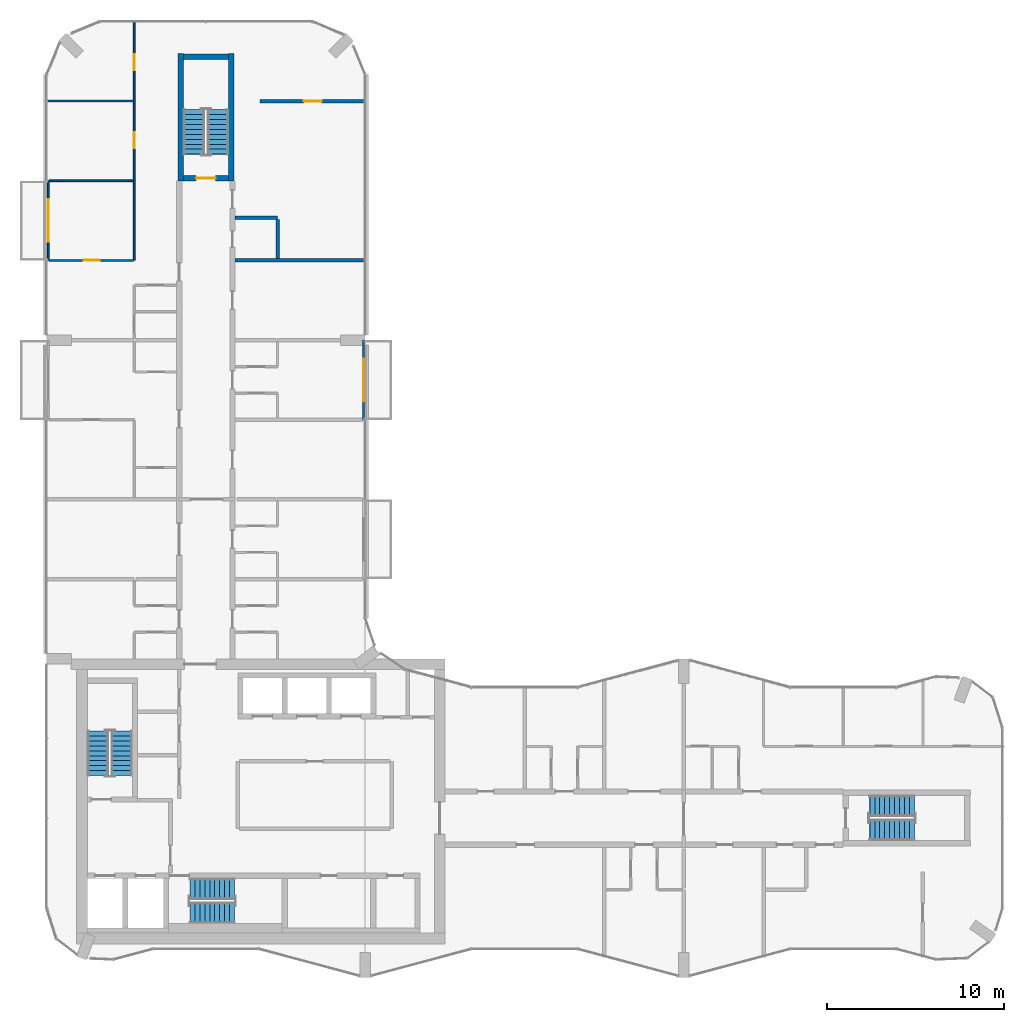
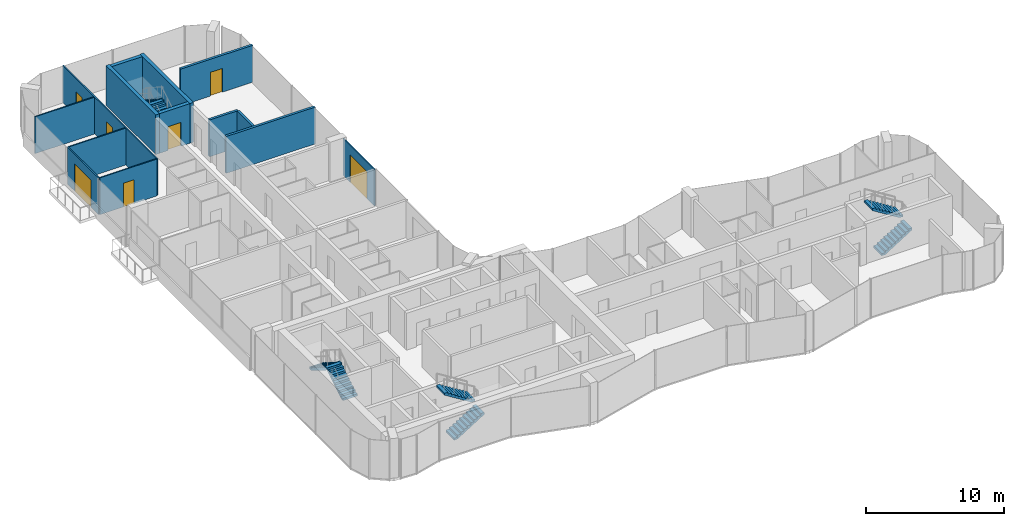
# One storey, part 13 of 15: 14 walls, 8 stair flights, 7 doors, 7 openings, 4 elements without a shape of their own.
"""IFC4 building model written with IfcOpenShell, lengths in metres."""

from ifc_helpers import new_model, si_unit, direction, frame, frame_2d, origin, place, context, subcontext, project, spatial, polyline, rectangle, outline, extrude, material, layer, layer_set, type_object, element, fill, aggregate, save


model = new_model("IFC4")

# Units and contexts
model_context = context("Model", 3, precision=1e-05, world=origin(), true_north=direction((0.0, 1.0)))
body_context = subcontext(model_context, "Body", "Model", "MODEL_VIEW")
ifc_project = project(units=[si_unit("LENGTHUNIT", "METRE"), si_unit("AREAUNIT", "SQUARE_METRE"), si_unit("VOLUMEUNIT", "CUBIC_METRE"), si_unit("PLANEANGLEUNIT", "RADIAN"), si_unit("MASSUNIT", "GRAM", prefix="KILO")], contexts=[model_context])

# Site, building, storey
site_placement = place(None, origin())
site = spatial("IfcSite", under=ifc_project, at=site_placement, CompositionType="ELEMENT")
building_placement = place(site_placement, origin())
building = spatial("IfcBuilding", under=site, at=building_placement, Name="Plateau Cross Towers", CompositionType="ELEMENT")
storey_placement = place(building_placement, frame((0.0, 0.0, 174.39990234375)))
storey = spatial("IfcBuildingStorey", under=building, at=storey_placement, Name="L45", CompositionType="ELEMENT", Elevation=174.39990234375)

# Wall, opening, door
ifc_material_1 = material(Name="Aluminium framed glazing", Category="aluminium")
ifc_layer_1 = layer(ifc_material_1, 0.10009765625)
ifc_layer_set_1 = layer_set([ifc_layer_1], Name="Aluminium framed glazing")
wall_type_1 = type_object("IfcWallType", Name="Balcony screen wall 100", PredefinedType="STANDARD", material=ifc_layer_set_1)
wall_1_placement = place(storey_placement, frame((0.10009765625, 40.5, 0.0), z_axis=(0.0, 0.0, 1.0), x_axis=(0.0, 1.0, 0.0)))
wall_1 = element("IfcWall", 1, at=wall_1_placement, inside=storey, type_object=wall_type_1, Name="Balcony screen wall A-BAL-L45-02", PredefinedType="STANDARD", context=body_context, shape_type="SweptSolid", body=[
    extrude(rectangle(XDim=4.5, YDim=0.10009765625, at=frame_2d((2.25, 0.0))), origin(), (0.0, 0.0, 1.0), 3.25),
])
opening_1_placement = place(wall_1_placement, frame((1.050048828125, 0.0, 0.0)))
opening_1 = element("IfcOpeningElement", 2, at=opening_1_placement, cuts=wall_1, Name="Opening D-B24", PredefinedType="OPENING", context=body_context, shape_type="SweptSolid", body=[
    extrude(rectangle(XDim=2.39990234375, YDim=2.39990234375, at=frame_2d((1.199951171875, 1.199951171875))), frame((0.0, 0.06005859375, 0.0), z_axis=(0.0, -1.0, 0.0), x_axis=(1.0, 0.0, 0.0)), (0.0, 0.0, 1.0), 0.1201171875),
])
ifc_material_2 = material(Name="Aluminium frame, double glazing", Category="aluminium")
door_type_1 = type_object("IfcDoorType", Name="Balcony sliding door 2400", OperationType="NOTDEFINED", PredefinedType="DOOR", material=ifc_material_2)
door_1_placement = place(opening_1_placement, origin())
door_1 = element("IfcDoor", 3, at=door_1_placement, inside=storey, type_object=door_type_1, Name="Balcony door A-BAL-L45-02", OperationType="SINGLE_SWING_LEFT", OverallHeight=2.39990234375, OverallWidth=2.39990234375, PredefinedType="DOOR", context=body_context, shape_type="SweptSolid", body=[
    extrude(rectangle(XDim=2.39990234375, YDim=2.39990234375, at=frame_2d((1.199951171875, 1.199951171875))), frame((0.0, 0.02490234375, 0.0), z_axis=(0.0, -1.0, 0.0), x_axis=(1.0, 0.0, 0.0)), (0.0, 0.0, 1.0), 0.050048828125),
])
fill(opening_1, door_1)

wall_2_placement = place(storey_placement, frame((17.89990234375, 36.0, 0.0), z_axis=(0.0, 0.0, 1.0), x_axis=(0.0, -1.0, 0.0)))
wall_2 = element("IfcWall", 4, at=wall_2_placement, inside=storey, type_object=wall_type_1, Name="Balcony screen wall A-BAL-L45-04", PredefinedType="STANDARD", context=body_context, shape_type="SweptSolid", body=[
    extrude(rectangle(XDim=4.5, YDim=0.10009765625, at=frame_2d((2.25, 0.0))), origin(), (0.0, 0.0, 1.0), 3.25),
])
opening_2_placement = place(wall_2_placement, frame((1.050048828125, 0.0, 0.0)))
opening_2 = element("IfcOpeningElement", 5, at=opening_2_placement, cuts=wall_2, Name="Opening D-B24", PredefinedType="OPENING", context=body_context, shape_type="SweptSolid", body=[
    extrude(rectangle(XDim=2.39990234375, YDim=2.39990234375, at=frame_2d((1.199951171875, 1.199951171875))), frame((0.0, 0.06005859375, 0.0), z_axis=(0.0, -1.0, 0.0), x_axis=(1.0, 0.0, 0.0)), (0.0, 0.0, 1.0), 0.1201171875),
])
door_2_placement = place(opening_2_placement, origin())
door_2 = element("IfcDoor", 6, at=door_2_placement, inside=storey, type_object=door_type_1, Name="Balcony door A-BAL-L45-04", OperationType="SINGLE_SWING_LEFT", OverallHeight=2.39990234375, OverallWidth=2.39990234375, PredefinedType="DOOR", context=body_context, shape_type="SweptSolid", body=[
    extrude(rectangle(XDim=2.39990234375, YDim=2.39990234375, at=frame_2d((1.199951171875, 1.199951171875))), frame((0.0, 0.02490234375, 0.0), z_axis=(0.0, -1.0, 0.0), x_axis=(1.0, 0.0, 0.0)), (0.0, 0.0, 1.0), 0.050048828125),
])
fill(opening_2, door_2)

ifc_material_3 = material(Name="Gypsum board on steel studs", Category="steel")
ifc_layer_2 = layer(ifc_material_3, 0.10009765625)
ifc_layer_set_2 = layer_set([ifc_layer_2], Name="Gypsum board on steel studs")
wall_type_2 = type_object("IfcWallType", Name="Flat partition 100", PredefinedType="PARTITIONING", material=ifc_layer_set_2)
wall_3_placement = place(storey_placement, frame((0.14990234375, 40.5, 0.0), z_axis=(0.0, 0.0, 1.0), x_axis=(1.0, 0.0, 0.0)))
wall_3 = element("IfcWall", 7, at=wall_3_placement, inside=storey, type_object=wall_type_2, Name="Partition wall", PredefinedType="PARTITIONING", context=body_context, shape_type="SweptSolid", body=[
    extrude(rectangle(XDim=4.75, YDim=0.10009765625, at=frame_2d((2.375, 0.0))), origin(), (0.0, 0.0, 1.0), 3.25),
])
opening_3_placement = place(wall_3_placement, frame((1.949951171875, 0.0, 0.0)))
opening_3 = element("IfcOpeningElement", 8, at=opening_3_placement, cuts=wall_3, Name="Opening 45-41", PredefinedType="OPENING", context=body_context, shape_type="SweptSolid", body=[
    extrude(rectangle(XDim=0.89990234375, YDim=2.10009765625, at=frame_2d((0.449951171875, 1.050048828125))), frame((0.0, 0.06005859375, 0.0), z_axis=(0.0, -1.0, 0.0), x_axis=(1.0, 0.0, 0.0)), (0.0, 0.0, 1.0), 0.1201171875),
])
ifc_material_4 = material(Name="Timber leaf", Category="wood")
door_type_2 = type_object("IfcDoorType", Name="Flat room door 900", OperationType="NOTDEFINED", PredefinedType="DOOR", material=ifc_material_4)
door_3_placement = place(opening_3_placement, origin())
door_3 = element("IfcDoor", 9, at=door_3_placement, inside=storey, type_object=door_type_2, Name="Door 45-41", OperationType="SINGLE_SWING_RIGHT", OverallHeight=2.10009765625, OverallWidth=0.89990234375, PredefinedType="DOOR", context=body_context, shape_type="SweptSolid", body=[
    extrude(rectangle(XDim=0.89990234375, YDim=2.10009765625, at=frame_2d((0.449951171875, 1.050048828125))), frame((0.0, 0.02490234375, 0.0), z_axis=(0.0, -1.0, 0.0), x_axis=(1.0, 0.0, 0.0)), (0.0, 0.0, 1.0), 0.050048828125),
])
fill(opening_3, door_3)

# Walls
wall_4_placement = place(storey_placement, frame((4.89990234375, 45.0, 0.0), z_axis=(0.0, 0.0, 1.0), x_axis=(-1.0, 0.0, 0.0)))
element("IfcWall", 10, at=wall_4_placement, inside=storey, type_object=wall_type_2, Name="Partition wall", PredefinedType="PARTITIONING", context=body_context, shape_type="SweptSolid", body=[
    extrude(rectangle(XDim=4.75, YDim=0.10009765625, at=frame_2d((2.375, 0.0))), origin(), (0.0, 0.0, 1.0), 3.25),
])
wall_5_placement = place(storey_placement, frame((4.89990234375, 49.5, 0.0), z_axis=(0.0, 0.0, 1.0), x_axis=(-1.0, 0.0, 0.0)))
element("IfcWall", 11, at=wall_5_placement, inside=storey, type_object=wall_type_2, Name="Partition wall", PredefinedType="PARTITIONING", context=body_context, shape_type="SweptSolid", body=[
    extrude(rectangle(XDim=4.97998046875, YDim=0.10009765625, at=frame_2d((2.489990234375, 0.0))), origin(), (0.0, 0.0, 1.0), 3.25),
])

# Wall, openings, doors
wall_6_placement = place(storey_placement, frame((4.949951171875, 40.5, 0.0), z_axis=(0.0, 0.0, 1.0), x_axis=(0.0, 1.0, 0.0)))
wall_6 = element("IfcWall", 12, at=wall_6_placement, inside=storey, type_object=wall_type_2, Name="Partition wall", PredefinedType="PARTITIONING", context=body_context, shape_type="SweptSolid", body=[
    extrude(rectangle(XDim=13.580078125, YDim=0.10009765625, at=frame_2d((6.7900390625, 0.0))), origin(), (0.0, 0.0, 1.0), 3.25),
])
opening_4_placement = place(wall_6_placement, frame((6.35009765625, 0.0, 0.0)))
opening_4 = element("IfcOpeningElement", 13, at=opening_4_placement, cuts=wall_6, Name="Opening 45-42", PredefinedType="OPENING", context=body_context, shape_type="SweptSolid", body=[
    extrude(rectangle(XDim=0.89990234375, YDim=2.10009765625, at=frame_2d((0.449951171875, 1.050048828125))), frame((0.0, 0.06005859375, 0.0), z_axis=(0.0, -1.0, 0.0), x_axis=(1.0, 0.0, 0.0)), (0.0, 0.0, 1.0), 0.1201171875),
])
opening_5_placement = place(wall_6_placement, frame((10.75, 0.0, 0.0)))
opening_5 = element("IfcOpeningElement", 14, at=opening_5_placement, cuts=wall_6, Name="Opening 45-43", PredefinedType="OPENING", context=body_context, shape_type="SweptSolid", body=[
    extrude(rectangle(XDim=0.89990234375, YDim=2.10009765625, at=frame_2d((0.449951171875, 1.050048828125))), frame((0.0, 0.06005859375, 0.0), z_axis=(0.0, -1.0, 0.0), x_axis=(1.0, 0.0, 0.0)), (0.0, 0.0, 1.0), 0.1201171875),
])
door_4_placement = place(opening_4_placement, origin())
door_4 = element("IfcDoor", 15, at=door_4_placement, inside=storey, type_object=door_type_2, Name="Door 45-42", OperationType="SINGLE_SWING_RIGHT", OverallHeight=2.10009765625, OverallWidth=0.89990234375, PredefinedType="DOOR", context=body_context, shape_type="SweptSolid", body=[
    extrude(rectangle(XDim=0.89990234375, YDim=2.10009765625, at=frame_2d((0.449951171875, 1.050048828125))), frame((0.0, 0.02490234375, 0.0), z_axis=(0.0, -1.0, 0.0), x_axis=(1.0, 0.0, 0.0)), (0.0, 0.0, 1.0), 0.050048828125),
])
fill(opening_4, door_4)
door_5_placement = place(opening_5_placement, origin())
door_5 = element("IfcDoor", 16, at=door_5_placement, inside=storey, type_object=door_type_2, Name="Door 45-43", OperationType="SINGLE_SWING_RIGHT", OverallHeight=2.10009765625, OverallWidth=0.89990234375, PredefinedType="DOOR", context=body_context, shape_type="SweptSolid", body=[
    extrude(rectangle(XDim=0.89990234375, YDim=2.10009765625, at=frame_2d((0.449951171875, 1.050048828125))), frame((0.0, 0.02490234375, 0.0), z_axis=(0.0, -1.0, 0.0), x_axis=(1.0, 0.0, 0.0)), (0.0, 0.0, 1.0), 0.050048828125),
])
fill(opening_5, door_5)

# Walls
ifc_material_5 = material(Name="Gypsum board on steel studs, two layers each side", Category="steel")
ifc_layer_3 = layer(ifc_material_5, 0.199951171875)
ifc_layer_set_3 = layer_set([ifc_layer_3], Name="Gypsum board on steel studs, two layers each side")
wall_type_3 = type_object("IfcWallType", Name="Flat party wall 200", PredefinedType="PARTITIONING", material=ifc_layer_set_3)
wall_7_placement = place(storey_placement, frame((18.080078125, 40.5, 0.0), z_axis=(0.0, 0.0, 1.0), x_axis=(-1.0, 0.0, 0.0)))
element("IfcWall", 17, at=wall_7_placement, inside=storey, type_object=wall_type_3, Name="Party wall", PredefinedType="PARTITIONING", context=body_context, shape_type="SweptSolid", body=[
    extrude(rectangle(XDim=7.43017578125, YDim=0.199951171875, at=frame_2d((3.715087890625, 0.0))), origin(), (0.0, 0.0, 1.0), 3.25),
])
wall_8_placement = place(storey_placement, frame((13.050048828125, 42.89990234375, 0.0), z_axis=(0.0, 0.0, 1.0), x_axis=(-1.0, 0.0, 0.0)))
element("IfcWall", 18, at=wall_8_placement, inside=storey, type_object=wall_type_3, Name="Party wall", PredefinedType="PARTITIONING", context=body_context, shape_type="SweptSolid", body=[
    extrude(rectangle(XDim=2.400146484375, YDim=0.199951171875, at=frame_2d((1.2001953125, 0.0))), origin(), (0.0, 0.0, 1.0), 3.25),
])

# Wall, opening, door
wall_9_placement = place(storey_placement, frame((18.080078125, 49.5, 0.0), z_axis=(0.0, 0.0, 1.0), x_axis=(-1.0, 0.0, 0.0)))
wall_9 = element("IfcWall", 19, at=wall_9_placement, inside=storey, type_object=wall_type_3, Name="Party wall", PredefinedType="PARTITIONING", context=body_context, shape_type="SweptSolid", body=[
    extrude(rectangle(XDim=6.030029296875, YDim=0.199951171875, at=frame_2d((3.01513671875, 0.0))), origin(), (0.0, 0.0, 1.0), 3.25),
])
opening_6_placement = place(wall_9_placement, frame((2.550048828125, 0.0, 0.0)))
opening_6 = element("IfcOpeningElement", 20, at=opening_6_placement, cuts=wall_9, Name="Opening 45-24", PredefinedType="OPENING", context=body_context, shape_type="SweptSolid", body=[
    extrude(rectangle(XDim=1.0, YDim=2.10009765625, at=frame_2d((0.5, 1.050048828125))), frame((0.0, 0.10986328125, 0.0), z_axis=(0.0, -1.0, 0.0), x_axis=(1.0, 0.0, 0.0)), (0.0, 0.0, 1.0), 0.219970703125),
])
ifc_material_6 = material(Name="Timber, fire-resisting leaf", Category="wood")
door_type_3 = type_object("IfcDoorType", Name="Flat entrance door 1000", OperationType="NOTDEFINED", PredefinedType="DOOR", material=ifc_material_6)
door_6_placement = place(opening_6_placement, origin())
door_6 = element("IfcDoor", 21, at=door_6_placement, inside=storey, type_object=door_type_3, Name="Door 45-24", OperationType="SINGLE_SWING_RIGHT", OverallHeight=2.10009765625, OverallWidth=1.0, PredefinedType="DOOR", context=body_context, shape_type="SweptSolid", body=[
    extrude(rectangle(XDim=1.0, YDim=2.10009765625, at=frame_2d((0.5, 1.050048828125))), frame((0.0, 0.02490234375, 0.0), z_axis=(0.0, -1.0, 0.0), x_axis=(1.0, 0.0, 0.0)), (0.0, 0.0, 1.0), 0.050048828125),
])
fill(opening_6, door_6)

# Wall
wall_10_placement = place(storey_placement, frame((13.050048828125, 40.60009765625, 0.0), z_axis=(0.0, 0.0, 1.0), x_axis=(0.0, 1.0, 0.0)))
element("IfcWall", 22, at=wall_10_placement, inside=storey, type_object=wall_type_3, Name="Party wall", PredefinedType="PARTITIONING", context=body_context, shape_type="SweptSolid", body=[
    extrude(rectangle(XDim=2.199951171875, YDim=0.199951171875, at=frame_2d((1.10009765625, 0.0))), origin(), (0.0, 0.0, 1.0), 3.25),
])

# Wall, opening, door
ifc_material_7 = material(Name="Concrete C60/75", Category="concrete")
ifc_layer_4 = layer(ifc_material_7, 0.300048828125)
ifc_layer_set_4 = layer_set([ifc_layer_4], Name="Concrete C60/75")
wall_type_4 = type_object("IfcWallType", Name="Stair tower wall 300", PredefinedType="SHEAR", material=ifc_layer_set_4)
wall_11_placement = place(storey_placement, frame((7.72509765625, 45.14990234375, 0.0), z_axis=(0.0, 0.0, 1.0), x_axis=(1.0, 0.0, 0.0)))
wall_11 = element("IfcWall", 23, at=wall_11_placement, inside=storey, type_object=wall_type_4, Name="A-end-N-S@L45", PredefinedType="SHEAR", context=body_context, shape_type="SweptSolid", body=[
    extrude(rectangle(XDim=2.5498046875, YDim=0.300048828125, at=frame_2d((1.27490234375, 0.0))), origin(), (0.0, 0.0, 1.0), 3.5),
])
opening_7_placement = place(wall_11_placement, frame((0.72509765625, 0.0, 0.0)))
opening_7 = element("IfcOpeningElement", 24, at=opening_7_placement, cuts=wall_11, Name="Opening SD", PredefinedType="OPENING", context=body_context, shape_type="SweptSolid", body=[
    extrude(rectangle(XDim=1.10009765625, YDim=2.10009765625, at=frame_2d((0.550048828125, 1.050048828125))), frame((0.0, 0.159912109375, 0.0), z_axis=(0.0, -1.0, 0.0), x_axis=(1.0, 0.0, 0.0)), (0.0, 0.0, 1.0), 0.320068359375),
])
ifc_material_8 = material(Name="Steel, fire-resisting leaf", Category="steel")
door_type_4 = type_object("IfcDoorType", Name="Stair door 1100", OperationType="NOTDEFINED", PredefinedType="DOOR", material=ifc_material_8)
door_7_placement = place(opening_7_placement, origin())
door_7 = element("IfcDoor", 25, at=door_7_placement, inside=storey, type_object=door_type_4, Name="Stair door SD", OperationType="SINGLE_SWING_LEFT", OverallHeight=2.10009765625, OverallWidth=1.10009765625, PredefinedType="DOOR", context=body_context, shape_type="SweptSolid", body=[
    extrude(rectangle(XDim=1.10009765625, YDim=2.10009765625, at=frame_2d((0.550048828125, 1.050048828125))), frame((0.0, 0.02490234375, 0.0), z_axis=(0.0, -1.0, 0.0), x_axis=(1.0, 0.0, 0.0)), (0.0, 0.0, 1.0), 0.050048828125),
])
fill(opening_7, door_7)

# Walls
wall_12_placement = place(storey_placement, frame((7.72509765625, 52.0, 0.0), z_axis=(0.0, 0.0, 1.0), x_axis=(1.0, 0.0, 0.0)))
element("IfcWall", 26, at=wall_12_placement, inside=storey, type_object=wall_type_4, Name="A-end-N-N@L45", PredefinedType="SHEAR", context=body_context, shape_type="SweptSolid", body=[
    extrude(rectangle(XDim=2.5498046875, YDim=0.300048828125, at=frame_2d((1.27490234375, 0.0))), origin(), (0.0, 0.0, 1.0), 3.5),
])
for number, where, z_axis, x_axis, name in (
    (27, (7.574951171875, 45.0, 0.0), (0.0, 0.0, 1.0), (0.0, 1.0, 0.0), "A-end-N-W@L45"),
    (28, (10.425048828125, 45.0, 0.0), (0.0, 0.0, 1.0), (0.0, 1.0, 0.0), "A-end-N-E@L45"),
):
    element("IfcWall", number, at=place(storey_placement, frame(where, z_axis=z_axis, x_axis=x_axis)), inside=storey, type_object=wall_type_4, Name=name, PredefinedType="SHEAR", context=body_context, shape_type="SweptSolid", body=[
        extrude(rectangle(XDim=7.199951171875, YDim=0.300048828125, at=frame_2d((3.60009765625, 0.0))), origin(), (0.0, 0.0, 1.0), 3.5),
    ])

# Stair, stair flights
ifc_material_9 = material(Name="Concrete C40/50", Category="concrete")
stair_type = type_object("IfcStairType", Name="ST-TWR", PredefinedType="HALF_TURN_STAIR", material=ifc_material_9)
stair_1_placement = place(storey_placement, origin())
stair_1 = element("IfcStair", 29, at=stair_1_placement, inside=storey, type_object=stair_type, Name="L45 Protected Exit Stair ST-1", PredefinedType="HALF_TURN_STAIR")
stair_flight_type = type_object("IfcStairFlightType", Name="SFL-RC", PredefinedType="STRAIGHT", material=ifc_material_9)
stair_flight_1_placement = place(storey_placement, frame((4.25, 11.39990234375, 0.0), z_axis=(0.0, 0.0, 1.0), x_axis=(0.0, 1.0, 0.0)))
stair_flight_1 = element("IfcStairFlight", 30, at=stair_flight_1_placement, type_object=stair_flight_type, Name="ST-1 flight 1", NumberOfRisers=10, NumberOfTreads=9, PredefinedType="STRAIGHT", RiserHeight=0.175, TreadLength=0.28, context=body_context, shape_type="SweptSolid", body=[
    extrude(outline(polyline([(-0.0048828125, -0.010009765625), (-0.0048828125, 0.0), (0.0, 0.0), (0.0, 0.175048828125), (0.280029296875, 0.175048828125), (0.280029296875, 0.35009765625), (0.56005859375, 0.35009765625), (0.56005859375, 0.52490234375), (0.840087890625, 0.52490234375), (0.840087890625, 0.699951171875), (1.1201171875, 0.699951171875), (1.1201171875, 0.875), (1.39990234375, 0.875), (1.39990234375, 1.050048828125), (1.679931640625, 1.050048828125), (1.679931640625, 1.22509765625), (1.9599609375, 1.22509765625), (1.9599609375, 1.39990234375), (2.239990234375, 1.39990234375), (2.239990234375, 1.574951171875), (2.52001953125, 1.574951171875), (2.52490234375, 1.56494140625), (2.52490234375, 1.398193359375), (2.52001953125, 1.398193359375), (0.28271484375, 0.0), (0.02001953125, 0.0), (0.02001953125, -0.010009765625), (-0.0048828125, -0.010009765625)])), frame((0.0, 0.60009765625, 0.0), z_axis=(0.0, -1.0, 0.0), x_axis=(1.0, 0.0, 0.0)), (0.0, 0.0, 1.0), 1.199951171875),
])
stair_flight_2_placement = place(storey_placement, frame((2.89990234375, 13.919921875, 1.75), z_axis=(0.0, 0.0, 1.0), x_axis=(0.0, -1.0, 0.0)))
stair_flight_2 = element("IfcStairFlight", 31, at=stair_flight_2_placement, type_object=stair_flight_type, Name="ST-1 flight 2", NumberOfRisers=10, NumberOfTreads=9, PredefinedType="STRAIGHT", RiserHeight=0.175, TreadLength=0.28, context=body_context, shape_type="SweptSolid", body=[
    extrude(outline(polyline([(-0.0048828125, -0.010009765625), (-0.0048828125, 0.0), (0.0, 0.0), (0.0, 0.175048828125), (0.280029296875, 0.175048828125), (0.280029296875, 0.35009765625), (0.56005859375, 0.35009765625), (0.56005859375, 0.52490234375), (0.840087890625, 0.52490234375), (0.840087890625, 0.699951171875), (1.1201171875, 0.699951171875), (1.1201171875, 0.875), (1.39990234375, 0.875), (1.39990234375, 1.050048828125), (1.679931640625, 1.050048828125), (1.679931640625, 1.22509765625), (1.9599609375, 1.22509765625), (1.9599609375, 1.39990234375), (2.239990234375, 1.39990234375), (2.239990234375, 1.574951171875), (2.52001953125, 1.574951171875), (2.52490234375, 1.56494140625), (2.52490234375, 1.398193359375), (2.52001953125, 1.398193359375), (0.28271484375, 0.0), (0.02001953125, 0.0), (0.02001953125, -0.010009765625), (-0.0048828125, -0.010009765625)])), frame((0.0, 0.60009765625, 0.0), z_axis=(0.0, -1.0, 0.0), x_axis=(1.0, 0.0, 0.0)), (0.0, 0.0, 1.0), 1.199951171875),
])
aggregate(stair_1, [stair_flight_1, stair_flight_2])

stair_2_placement = place(storey_placement, origin())
stair_2 = element("IfcStair", 32, at=stair_2_placement, inside=storey, type_object=stair_type, Name="L45 Protected Exit Stair ST-2", PredefinedType="HALF_TURN_STAIR")
stair_flight_3_placement = place(storey_placement, frame((8.10009765625, 3.64990234375, 0.0), z_axis=(0.0, 0.0, 1.0), x_axis=(1.0, 0.0, 0.0)))
stair_flight_3 = element("IfcStairFlight", 33, at=stair_flight_3_placement, type_object=stair_flight_type, Name="ST-2 flight 1", NumberOfRisers=10, NumberOfTreads=9, PredefinedType="STRAIGHT", RiserHeight=0.175, TreadLength=0.28, context=body_context, shape_type="SweptSolid", body=[
    extrude(outline(polyline([(-0.0048828125, -0.010009765625), (-0.0048828125, 0.0), (0.0, 0.0), (0.0, 0.175048828125), (0.280029296875, 0.175048828125), (0.280029296875, 0.35009765625), (0.56005859375, 0.35009765625), (0.56005859375, 0.52490234375), (0.840087890625, 0.52490234375), (0.840087890625, 0.699951171875), (1.1201171875, 0.699951171875), (1.1201171875, 0.875), (1.39990234375, 0.875), (1.39990234375, 1.050048828125), (1.679931640625, 1.050048828125), (1.679931640625, 1.22509765625), (1.9599609375, 1.22509765625), (1.9599609375, 1.39990234375), (2.239990234375, 1.39990234375), (2.239990234375, 1.574951171875), (2.52001953125, 1.574951171875), (2.52490234375, 1.56494140625), (2.52490234375, 1.398193359375), (2.52001953125, 1.398193359375), (0.28271484375, 0.0), (0.02001953125, 0.0), (0.02001953125, -0.010009765625), (-0.0048828125, -0.010009765625)])), frame((0.0, 0.60009765625, 0.0), z_axis=(0.0, -1.0, 0.0), x_axis=(1.0, 0.0, 0.0)), (0.0, 0.0, 1.0), 1.199951171875),
])
stair_flight_4_placement = place(storey_placement, frame((10.6201171875, 5.0, 1.75), z_axis=(0.0, 0.0, 1.0), x_axis=(-1.0, 0.0, 0.0)))
stair_flight_4 = element("IfcStairFlight", 34, at=stair_flight_4_placement, type_object=stair_flight_type, Name="ST-2 flight 2", NumberOfRisers=10, NumberOfTreads=9, PredefinedType="STRAIGHT", RiserHeight=0.175, TreadLength=0.28, context=body_context, shape_type="SweptSolid", body=[
    extrude(outline(polyline([(-0.0048828125, -0.010009765625), (-0.0048828125, 0.0), (0.0, 0.0), (0.0, 0.175048828125), (0.280029296875, 0.175048828125), (0.280029296875, 0.35009765625), (0.56005859375, 0.35009765625), (0.56005859375, 0.52490234375), (0.840087890625, 0.52490234375), (0.840087890625, 0.699951171875), (1.1201171875, 0.699951171875), (1.1201171875, 0.875), (1.39990234375, 0.875), (1.39990234375, 1.050048828125), (1.679931640625, 1.050048828125), (1.679931640625, 1.22509765625), (1.9599609375, 1.22509765625), (1.9599609375, 1.39990234375), (2.239990234375, 1.39990234375), (2.239990234375, 1.574951171875), (2.52001953125, 1.574951171875), (2.52490234375, 1.56494140625), (2.52490234375, 1.398193359375), (2.52001953125, 1.398193359375), (0.28271484375, 0.0), (0.02001953125, 0.0), (0.02001953125, -0.010009765625), (-0.0048828125, -0.010009765625)])), frame((0.0, 0.60009765625, 0.0), z_axis=(0.0, -1.0, 0.0), x_axis=(1.0, 0.0, 0.0)), (0.0, 0.0, 1.0), 1.199951171875),
])
aggregate(stair_2, [stair_flight_3, stair_flight_4])

stair_3_placement = place(storey_placement, origin())
stair_3 = element("IfcStair", 35, at=stair_3_placement, inside=storey, type_object=stair_type, Name="L45 Protected Exit Stair E", PredefinedType="HALF_TURN_STAIR")
stair_flight_5_placement = place(storey_placement, frame((46.5, 8.324951171875, 0.0), z_axis=(0.0, 0.0, 1.0), x_axis=(1.0, 0.0, 0.0)))
stair_flight_5 = element("IfcStairFlight", 36, at=stair_flight_5_placement, type_object=stair_flight_type, Name="ES-E flight 1", NumberOfRisers=10, NumberOfTreads=9, PredefinedType="STRAIGHT", RiserHeight=0.175, TreadLength=0.28, context=body_context, shape_type="SweptSolid", body=[
    extrude(outline(polyline([(-0.0048828125, -0.010009765625), (-0.0048828125, 0.0), (0.0, 0.0), (0.0, 0.175048828125), (0.280029296875, 0.175048828125), (0.280029296875, 0.35009765625), (0.56005859375, 0.35009765625), (0.56005859375, 0.52490234375), (0.840087890625, 0.52490234375), (0.840087890625, 0.699951171875), (1.1201171875, 0.699951171875), (1.1201171875, 0.875), (1.39990234375, 0.875), (1.39990234375, 1.050048828125), (1.679931640625, 1.050048828125), (1.679931640625, 1.22509765625), (1.9599609375, 1.22509765625), (1.9599609375, 1.39990234375), (2.239990234375, 1.39990234375), (2.239990234375, 1.574951171875), (2.52001953125, 1.574951171875), (2.52490234375, 1.56494140625), (2.52490234375, 1.398193359375), (2.52001953125, 1.398193359375), (0.28271484375, 0.0), (0.02001953125, 0.0), (0.02001953125, -0.010009765625), (-0.0048828125, -0.010009765625)])), frame((0.0, 0.60009765625, 0.0), z_axis=(0.0, -1.0, 0.0), x_axis=(1.0, 0.0, 0.0)), (0.0, 0.0, 1.0), 1.199951171875),
])
stair_flight_6_placement = place(storey_placement, frame((49.02001953125, 9.675048828125, 1.75), z_axis=(0.0, 0.0, 1.0), x_axis=(-1.0, 0.0, 0.0)))
stair_flight_6 = element("IfcStairFlight", 37, at=stair_flight_6_placement, type_object=stair_flight_type, Name="ES-E flight 2", NumberOfRisers=10, NumberOfTreads=9, PredefinedType="STRAIGHT", RiserHeight=0.175, TreadLength=0.28, context=body_context, shape_type="SweptSolid", body=[
    extrude(outline(polyline([(-0.0048828125, -0.010009765625), (-0.0048828125, 0.0), (0.0, 0.0), (0.0, 0.175048828125), (0.280029296875, 0.175048828125), (0.280029296875, 0.35009765625), (0.56005859375, 0.35009765625), (0.56005859375, 0.52490234375), (0.840087890625, 0.52490234375), (0.840087890625, 0.699951171875), (1.1201171875, 0.699951171875), (1.1201171875, 0.875), (1.39990234375, 0.875), (1.39990234375, 1.050048828125), (1.679931640625, 1.050048828125), (1.679931640625, 1.22509765625), (1.9599609375, 1.22509765625), (1.9599609375, 1.39990234375), (2.239990234375, 1.39990234375), (2.239990234375, 1.574951171875), (2.52001953125, 1.574951171875), (2.52490234375, 1.56494140625), (2.52490234375, 1.398193359375), (2.52001953125, 1.398193359375), (0.28271484375, 0.0), (0.02001953125, 0.0), (0.02001953125, -0.010009765625), (-0.0048828125, -0.010009765625)])), frame((0.0, 0.60009765625, 0.0), z_axis=(0.0, -1.0, 0.0), x_axis=(1.0, 0.0, 0.0)), (0.0, 0.0, 1.0), 1.199951171875),
])
aggregate(stair_3, [stair_flight_5, stair_flight_6])

stair_4_placement = place(storey_placement, origin())
stair_4 = element("IfcStair", 38, at=stair_4_placement, inside=storey, type_object=stair_type, Name="L45 Protected Exit Stair N", PredefinedType="HALF_TURN_STAIR")
stair_flight_7_placement = place(storey_placement, frame((9.675048828125, 46.5, 0.0), z_axis=(0.0, 0.0, 1.0), x_axis=(0.0, 1.0, 0.0)))
stair_flight_7 = element("IfcStairFlight", 39, at=stair_flight_7_placement, type_object=stair_flight_type, Name="ES-N flight 1", NumberOfRisers=10, NumberOfTreads=9, PredefinedType="STRAIGHT", RiserHeight=0.175, TreadLength=0.28, context=body_context, shape_type="SweptSolid", body=[
    extrude(outline(polyline([(-0.0048828125, -0.010009765625), (-0.0048828125, 0.0), (0.0, 0.0), (0.0, 0.175048828125), (0.280029296875, 0.175048828125), (0.280029296875, 0.35009765625), (0.56005859375, 0.35009765625), (0.56005859375, 0.52490234375), (0.840087890625, 0.52490234375), (0.840087890625, 0.699951171875), (1.1201171875, 0.699951171875), (1.1201171875, 0.875), (1.39990234375, 0.875), (1.39990234375, 1.050048828125), (1.679931640625, 1.050048828125), (1.679931640625, 1.22509765625), (1.9599609375, 1.22509765625), (1.9599609375, 1.39990234375), (2.239990234375, 1.39990234375), (2.239990234375, 1.574951171875), (2.52001953125, 1.574951171875), (2.52490234375, 1.56494140625), (2.52490234375, 1.398193359375), (2.52001953125, 1.398193359375), (0.28271484375, 0.0), (0.02001953125, 0.0), (0.02001953125, -0.010009765625), (-0.0048828125, -0.010009765625)])), frame((0.0, 0.60009765625, 0.0), z_axis=(0.0, -1.0, 0.0), x_axis=(1.0, 0.0, 0.0)), (0.0, 0.0, 1.0), 1.199951171875),
])
stair_flight_8_placement = place(storey_placement, frame((8.324951171875, 49.02001953125, 1.75), z_axis=(0.0, 0.0, 1.0), x_axis=(0.0, -1.0, 0.0)))
stair_flight_8 = element("IfcStairFlight", 40, at=stair_flight_8_placement, type_object=stair_flight_type, Name="ES-N flight 2", NumberOfRisers=10, NumberOfTreads=9, PredefinedType="STRAIGHT", RiserHeight=0.175, TreadLength=0.28, context=body_context, shape_type="SweptSolid", body=[
    extrude(outline(polyline([(-0.0048828125, -0.010009765625), (-0.0048828125, 0.0), (0.0, 0.0), (0.0, 0.175048828125), (0.280029296875, 0.175048828125), (0.280029296875, 0.35009765625), (0.56005859375, 0.35009765625), (0.56005859375, 0.52490234375), (0.840087890625, 0.52490234375), (0.840087890625, 0.699951171875), (1.1201171875, 0.699951171875), (1.1201171875, 0.875), (1.39990234375, 0.875), (1.39990234375, 1.050048828125), (1.679931640625, 1.050048828125), (1.679931640625, 1.22509765625), (1.9599609375, 1.22509765625), (1.9599609375, 1.39990234375), (2.239990234375, 1.39990234375), (2.239990234375, 1.574951171875), (2.52001953125, 1.574951171875), (2.52490234375, 1.56494140625), (2.52490234375, 1.398193359375), (2.52001953125, 1.398193359375), (0.28271484375, 0.0), (0.02001953125, 0.0), (0.02001953125, -0.010009765625), (-0.0048828125, -0.010009765625)])), frame((0.0, 0.60009765625, 0.0), z_axis=(0.0, -1.0, 0.0), x_axis=(1.0, 0.0, 0.0)), (0.0, 0.0, 1.0), 1.199951171875),
])
aggregate(stair_4, [stair_flight_7, stair_flight_8])

save(model, "model.ifc")
